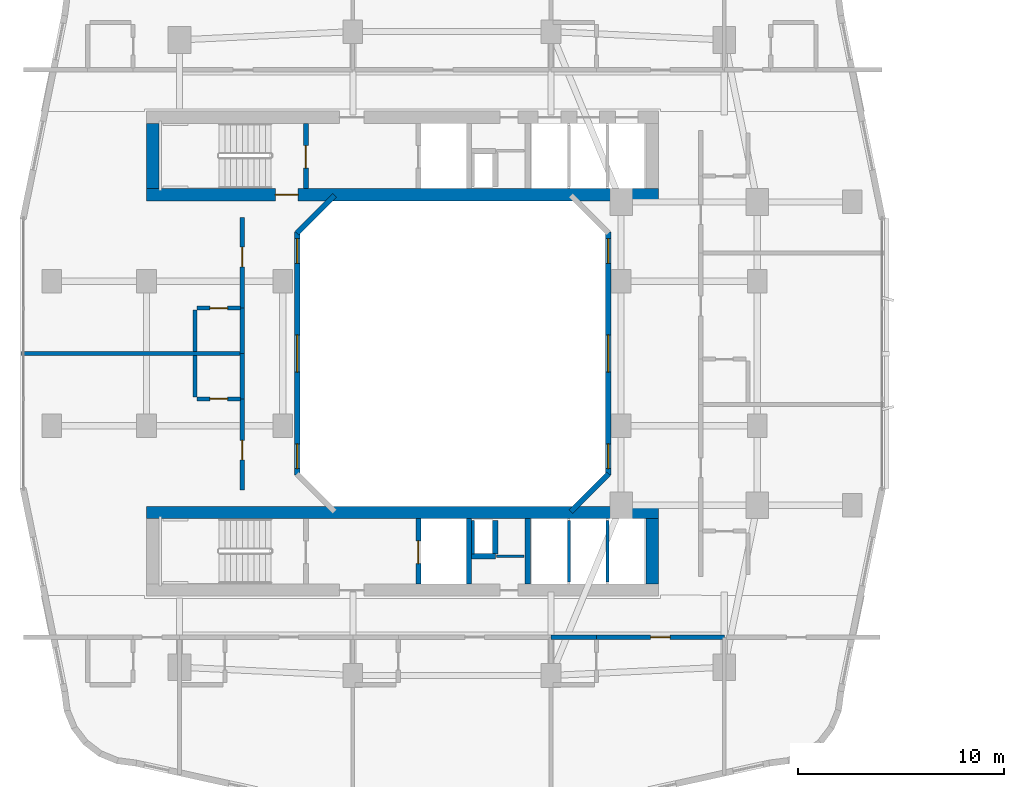
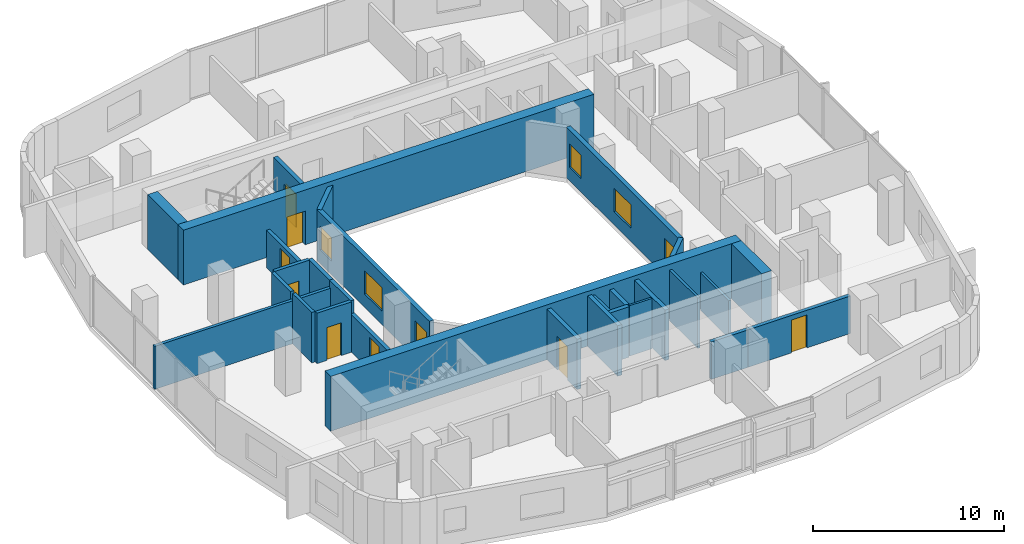
# One storey, part 14 of 27: 29 walls, 8 doors, 6 windows, 14 openings.
"""IFC4 building model written with IfcOpenShell, lengths in metres."""

import ifcopenshell
import ifcopenshell.guid

model = None  # the IFC model being written
_history = None  # IfcOwnerHistory: only IFC2X3 demands one
_inside = {}  # id of a spatial element -> (the spatial element, [elements in it])
_under = {}  # id of a project, library or spatial element -> (it, [spatial elements below it])
_declared = {}  # id of a project -> (the project, [libraries it declares])
_typed = {}  # id of a type object -> (the type object, [elements of that type])
_made_of = {}  # id of a material, layer set ... -> (it, [elements and type objects made of it])


def new_model(schema):
    """Start an empty IFC model of exactly this schema.

    Asked for "IFC4X3", IfcOpenShell would pick the latest addendum, in which some entities
    have other attributes; the version numbers below select the first issue.
    IFC2X3 requires an IfcOwnerHistory on every rooted entity: one is made here for all.
    """
    global model, _history
    if schema == "IFC4X3":
        model = ifcopenshell.file(schema_version=(4, 3, 0, 0))
    else:
        model = ifcopenshell.file(schema=schema)
    _inside.clear()
    _under.clear()
    _declared.clear()
    _typed.clear()
    _made_of.clear()
    _history = None
    if model.schema == "IFC2X3":
        org = make("IfcOrganization", Name="unknown")
        user = make(
            "IfcPersonAndOrganization",
            ThePerson=make("IfcPerson", FamilyName="unknown"),
            TheOrganization=org,
        )
        app = make(
            "IfcApplication",
            ApplicationDeveloper=org,
            Version="unknown",
            ApplicationFullName="unknown",
            ApplicationIdentifier="unknown",
        )
        _history = make(
            "IfcOwnerHistory",
            OwningUser=user,
            OwningApplication=app,
            ChangeAction="ADDED",
            CreationDate=0,
        )
    return model


def make(cls, **values):
    """One entity of the class cls with the attributes given. An attribute that is None is left unset."""
    return model.create_entity(
        cls, **{name: value for name, value in values.items() if value is not None}
    )


def rooted(cls, **values):
    """An entity with a GlobalId (a new one), such as an element, a storey or a relation."""
    return make(cls, GlobalId=ifcopenshell.guid.new(), OwnerHistory=_history, **values)


def si_unit(unit_type, name, prefix=None):
    """IfcSIUnit, for example si_unit("LENGTHUNIT", "METRE", prefix="MILLI")."""
    return make("IfcSIUnit", UnitType=unit_type, Prefix=prefix, Name=name)


def derived_unit(unit_type, elements):
    """IfcDerivedUnit: a product of units, each with its exponent."""
    return make(
        "IfcDerivedUnit",
        Elements=[
            make("IfcDerivedUnitElement", Unit=unit, Exponent=power)
            for unit, power in elements
        ],
        UnitType=unit_type,
    )


def assignment(units):
    """IfcUnitAssignment: the units of a project."""
    return None if units is None else make("IfcUnitAssignment", Units=units)


def point(xyz):
    """IfcCartesianPoint."""
    return None if xyz is None else make("IfcCartesianPoint", Coordinates=xyz)


def direction(xyz):
    """IfcDirection."""
    return None if xyz is None else make("IfcDirection", DirectionRatios=xyz)


def frame(location, z_axis=None, x_axis=None):
    """IfcAxis2Placement3D, a coordinate frame: its origin and axes. An axis left out is left unset."""
    return make(
        "IfcAxis2Placement3D",
        Location=point(location),
        Axis=direction(z_axis),
        RefDirection=direction(x_axis),
    )


def frame_2d(location, x_axis=None):
    """IfcAxis2Placement2D, a coordinate frame in the plane: its origin and x axis."""
    return make(
        "IfcAxis2Placement2D", Location=point(location), RefDirection=direction(x_axis)
    )


def origin():
    """The frame at (0, 0, 0) with its axes left unset."""
    return frame((0.0, 0.0, 0.0))


def place(relative_to, where):
    """IfcLocalPlacement: puts the frame where relative to a parent placement (None: the world)."""
    return make(
        "IfcLocalPlacement", PlacementRelTo=relative_to, RelativePlacement=where
    )


def context(
    kind, dimensions, precision=None, world=None, true_north=None, identifier=None
):
    """IfcGeometricRepresentationContext, for example the 3D "Model" context."""
    return make(
        "IfcGeometricRepresentationContext",
        ContextIdentifier=identifier,
        ContextType=kind,
        CoordinateSpaceDimension=dimensions,
        Precision=precision,
        WorldCoordinateSystem=world,
        TrueNorth=true_north,
    )


def subcontext(parent, identifier, kind, view, scale=None):
    """IfcGeometricRepresentationSubContext, for example "Body" below "Model"."""
    return make(
        "IfcGeometricRepresentationSubContext",
        ContextIdentifier=identifier,
        ContextType=kind,
        ParentContext=parent,
        TargetScale=scale,
        TargetView=view,
    )


def project(units=None, contexts=None):
    """IfcProject with its units and contexts."""
    return rooted(
        "IfcProject",
        Name="project",
        RepresentationContexts=contexts,
        UnitsInContext=assignment(units),
    )


def spatial(cls, under=None, at=None, **own):
    """A site, building, storey or space (cls), placed at a placement, below another one or the project."""
    s = rooted(cls, ObjectPlacement=at, **own)
    if under is not None:
        _under.setdefault(under.id(), (under, []))[1].append(s)
    return s


def profile(cls, at=None, kind="AREA", **sizes):
    """A parametric profile (cls). Its sizes go by their IFC names, for example OverallWidth=200.0."""
    return make(cls, ProfileType=kind, Position=at, **sizes)


def rectangle(**sizes):
    """IfcRectangleProfileDef."""
    return profile("IfcRectangleProfileDef", **sizes)


def extrude(swept, where, along, depth):
    """IfcExtrudedAreaSolid: the profile swept, set in the frame where, extruded along a direction by depth."""
    return make(
        "IfcExtrudedAreaSolid",
        SweptArea=swept,
        Position=where,
        ExtrudedDirection=direction(along),
        Depth=depth,
    )


def shape(context_of_items, identifier, shape_type, items):
    """IfcShapeRepresentation: the items that make up one representation, for example the "Body"."""
    return make(
        "IfcShapeRepresentation",
        ContextOfItems=context_of_items,
        RepresentationIdentifier=identifier,
        RepresentationType=shape_type,
        Items=items,
    )


def material(Name=None, Category=None):
    """IfcMaterial."""
    return make("IfcMaterial", Name=Name, Category=Category)


def layer(
    of_material, thickness, ventilated=None, Name=None, Category=None, Priority=None
):
    """IfcMaterialLayer: one layer of a wall or slab, of a material (None: an air gap)."""
    return make(
        "IfcMaterialLayer",
        Material=of_material,
        LayerThickness=thickness,
        IsVentilated=ventilated,
        Name=Name,
        Category=Category,
        Priority=Priority,
    )


def layer_set(layers, Name=None):
    """IfcMaterialLayerSet."""
    return make("IfcMaterialLayerSet", MaterialLayers=layers, LayerSetName=Name)


def made_of(thing, what):
    """Note that an element or type object is made of a material, layer set ...; save() writes the relation."""
    if what is not None:
        _made_of.setdefault(what.id(), (what, []))[1].append(thing)
    return thing


def type_object(cls, material=None, **own):
    """A type object (cls), such as IfcWallType, which elements share."""
    return made_of(rooted(cls, **own), material)


def element(
    cls,
    number,
    at=None,
    inside=None,
    cuts=None,
    type_object=None,
    material=None,
    context=None,
    identifier="Body",
    shape_type=None,
    held_by="IfcProductDefinitionShape",
    body=None,
    shapes=None,
    **own,
):
    """One element of the class cls, such as IfcWall. Its Tag is "e" and its number.

    at: its placement. inside: the storey or other place that contains it. cuts: it is an
    opening in that element (IfcRelVoidsElement). A single representation is given by context,
    identifier, shape_type and body (its items); several are given by shapes. held_by: the class
    of the entity that holds the representations. save() writes the other relations.
    """
    e = rooted(cls, Tag="e%d" % number, ObjectPlacement=at, **own)
    if body is not None:
        shapes = [shape(context, identifier, shape_type, body)]
    if shapes is not None:
        e.Representation = make(held_by, Representations=shapes)
    if inside is not None:
        _inside.setdefault(inside.id(), (inside, []))[1].append(e)
    if cuts is not None:
        rooted(
            "IfcRelVoidsElement", RelatingBuildingElement=cuts, RelatedOpeningElement=e
        )
    if type_object is not None:
        _typed.setdefault(type_object.id(), (type_object, []))[1].append(e)
    return made_of(e, material)


def fill(opening, filler):
    """IfcRelFillsElement: the door or window that sits in an opening."""
    return rooted(
        "IfcRelFillsElement",
        RelatingOpeningElement=opening,
        RelatedBuildingElement=filler,
    )


def aggregate(whole, parts):
    """IfcRelAggregates: a whole, such as a stair, and the parts it consists of."""
    return rooted("IfcRelAggregates", RelatingObject=whole, RelatedObjects=parts)


def save(model, path):
    """Write the relations noted so far, then the file.

    IfcRelAggregates (storeys below a building ...), IfcRelContainedInSpatialStructure (elements
    in a storey), IfcRelDefinesByType, IfcRelAssociatesMaterial and IfcRelDeclares: one each for
    every whole, place, type object, material and project.
    """
    for whole, parts in _under.values():
        aggregate(whole, parts)
    for where, things in _inside.values():
        rooted(
            "IfcRelContainedInSpatialStructure",
            RelatedElements=things,
            RelatingStructure=where,
        )
    for kind, things in _typed.values():
        rooted("IfcRelDefinesByType", RelatedObjects=things, RelatingType=kind)
    for what, things in _made_of.values():
        rooted("IfcRelAssociatesMaterial", RelatedObjects=things, RelatingMaterial=what)
    for by, libraries in _declared.values():
        rooted("IfcRelDeclares", RelatingContext=by, RelatedDefinitions=libraries)
    model.write(path)


model = new_model("IFC4")

# Units and contexts
model_context = context("Model", 3, precision=1e-05, world=origin(), true_north=direction((0.0, 1.0)))
body_context = subcontext(model_context, "Body", "Model", "MODEL_VIEW")
ifc_project = project(units=[si_unit("LENGTHUNIT", "METRE"), si_unit("AREAUNIT", "SQUARE_METRE"), si_unit("VOLUMEUNIT", "CUBIC_METRE"), si_unit("PLANEANGLEUNIT", "RADIAN"), si_unit("MASSUNIT", "GRAM", prefix="KILO"), derived_unit("THERMALTRANSMITTANCEUNIT", [(si_unit("POWERUNIT", "WATT"), 1), (si_unit("LENGTHUNIT", "METRE"), -2), (si_unit("THERMODYNAMICTEMPERATUREUNIT", "KELVIN"), -1)])], contexts=[model_context])

# Site, building, storey
site_placement = place(None, origin())
site = spatial("IfcSite", under=ifc_project, at=site_placement, CompositionType="ELEMENT")
building_placement = place(site_placement, origin())
building = spatial("IfcBuilding", under=site, at=building_placement, Name="Kivonza Crest Hotel", CompositionType="ELEMENT")
storey_placement = place(building_placement, frame((0.0, 0.0, 31.0)))
storey = spatial("IfcBuildingStorey", under=building, at=storey_placement, Name="L07", CompositionType="ELEMENT", Elevation=31.0)

# Walls
ifc_material_1 = material(Name="High-density acoustic masonry inter-tenancy wall", Category="masonry")
ifc_layer_1 = layer(ifc_material_1, 0.179931640625)
ifc_layer_set_1 = layer_set([ifc_layer_1], Name="High-density acoustic masonry inter-tenancy wall")
wall_type_1 = type_object("IfcWallType", Name="WL-ACOU-180", PredefinedType="SOLIDWALL", material=ifc_layer_set_1)
wall_1_placement = place(storey_placement, frame((0.139892578125, 25.0, 0.0), z_axis=(0.0, 0.0, 1.0), x_axis=(1.0, 0.0, 0.0)))
element("IfcWall", 1, at=wall_1_placement, inside=storey, type_object=wall_type_1, Name="L07 interior partition WA-L07-T1W-DIV1", PredefinedType="SOLIDWALL", context=body_context, shape_type="SweptSolid", body=[
    extrude(rectangle(XDim=10.710205078125, YDim=0.179931640625, at=frame_2d((5.35498046875, 0.0))), origin(), (0.0, 0.0, 1.0), 2.7451171875),
])
ifc_material_2 = material(Name="Autoclaved aerated concrete blockwork", Category="masonry")
ifc_layer_2 = layer(ifc_material_2, 0.219970703125)
ifc_layer_set_2 = layer_set([ifc_layer_2], Name="Autoclaved aerated concrete blockwork")
wall_type_2 = type_object("IfcWallType", Name="WL-ACOU-220", PredefinedType="SOLIDWALL", material=ifc_layer_set_2)
wall_2_placement = place(storey_placement, frame((25.800048828125, 11.25, 0.0), z_axis=(0.0, 0.0, 1.0), x_axis=(1.0, 0.0, 0.0)))
element("IfcWall", 2, at=wall_2_placement, inside=storey, type_object=wall_type_2, Name="L07 interior partition WA-L07-S07-BCORR", PredefinedType="SOLIDWALL", context=body_context, shape_type="SweptSolid", body=[
    extrude(rectangle(XDim=2.199951171875, YDim=0.219970703125, at=frame_2d((1.10009765625, 0.0))), origin(), (0.0, 0.0, 1.0), 2.39501953125),
])

# Wall, opening, door
wall_3_placement = place(storey_placement, frame((28.0, 11.25, 0.0), z_axis=(0.0, 0.0, 1.0), x_axis=(1.0, 0.0, 0.0)))
wall_3 = element("IfcWall", 3, at=wall_3_placement, inside=storey, type_object=wall_type_2, Name="L07 interior partition WA-L07-S07-MCORR", PredefinedType="SOLIDWALL", context=body_context, shape_type="SweptSolid", body=[
    extrude(rectangle(XDim=6.199951171875, YDim=0.219970703125, at=frame_2d((3.10009765625, 0.0))), origin(), (0.0, 0.0, 1.0), 2.39501953125),
])
opening_1_placement = place(wall_3_placement, frame((2.625, 0.0, 0.0)))
opening_1 = element("IfcOpeningElement", 4, at=opening_1_placement, cuts=wall_3, Name="Opening DU-60", PredefinedType="OPENING", context=body_context, shape_type="SweptSolid", body=[
    extrude(rectangle(XDim=0.949951171875, YDim=2.10009765625, at=frame_2d((0.47509765625, 1.050048828125))), frame((0.0, 0.1201171875, 0.0), z_axis=(0.0, -1.0, 0.0), x_axis=(1.0, 0.0, 0.0)), (0.0, 0.0, 1.0), 0.239990234375),
])
ifc_material_3 = material(Name="Hardwood timber oak", Category="wood")
door_type_1 = type_object("IfcDoorType", Name="DR-UNIT-950", OperationType="NOTDEFINED", PredefinedType="DOOR", material=ifc_material_3)
door_1_placement = place(opening_1_placement, frame((0.949951171875, 0.0, 0.0), z_axis=(0.0, 0.0, 1.0), x_axis=(-1.0, 0.0, 0.0)))
door_1 = element("IfcDoor", 5, at=door_1_placement, inside=storey, type_object=door_type_1, Name="L07 S07 guest unit entrance fire door", OperationType="SINGLE_SWING_LEFT", OverallHeight=2.10009765625, OverallWidth=0.949951171875, PredefinedType="DOOR", context=body_context, shape_type="SweptSolid", body=[
    extrude(rectangle(XDim=0.949951171875, YDim=2.10009765625, at=frame_2d((0.47509765625, 1.050048828125))), frame((0.0, 0.02490234375, 0.0), z_axis=(0.0, -1.0, 0.0), x_axis=(1.0, 0.0, 0.0)), (0.0, 0.0, 1.0), 0.050048828125),
])
fill(opening_1, door_1)

# Wall
wall_4_placement = place(storey_placement, frame((10.85009765625, 22.800048828125, 0.0), z_axis=(0.0, 0.0, 1.0), x_axis=(0.0, 1.0, 0.0)))
element("IfcWall", 6, at=wall_4_placement, inside=storey, type_object=wall_type_2, Name="L07 interior partition WA-L07-W08-BCORR", PredefinedType="SOLIDWALL", context=body_context, shape_type="SweptSolid", body=[
    extrude(rectangle(XDim=2.199951171875, YDim=0.219970703125, at=frame_2d((1.10009765625, 0.0))), origin(), (0.0, 0.0, 1.0), 3.219970703125),
])

# Wall, opening, door
wall_5_placement = place(storey_placement, frame((10.85009765625, 18.39990234375, 0.0), z_axis=(0.0, 0.0, 1.0), x_axis=(0.0, 1.0, 0.0)))
wall_5 = element("IfcWall", 7, at=wall_5_placement, inside=storey, type_object=wall_type_2, Name="L07 interior partition WA-L07-W08-MCORR", PredefinedType="SOLIDWALL", context=body_context, shape_type="SweptSolid", body=[
    extrude(rectangle(XDim=4.400146484375, YDim=0.219970703125, at=frame_2d((2.2001953125, 0.0))), origin(), (0.0, 0.0, 1.0), 2.39501953125),
])
opening_2_placement = place(wall_5_placement, frame((1.445068359375, 0.0, 0.0)))
opening_2 = element("IfcOpeningElement", 8, at=opening_2_placement, cuts=wall_5, Name="Opening DU-60", PredefinedType="OPENING", context=body_context, shape_type="SweptSolid", body=[
    extrude(rectangle(XDim=0.949951171875, YDim=2.10009765625, at=frame_2d((0.47509765625, 1.050048828125))), frame((0.0, 0.1201171875, 0.0), z_axis=(0.0, -1.0, 0.0), x_axis=(1.0, 0.0, 0.0)), (0.0, 0.0, 1.0), 0.239990234375),
])
door_2_placement = place(opening_2_placement, origin())
door_2 = element("IfcDoor", 9, at=door_2_placement, inside=storey, type_object=door_type_1, Name="L07 W08 guest unit entrance fire door", OperationType="SINGLE_SWING_RIGHT", OverallHeight=2.10009765625, OverallWidth=0.949951171875, PredefinedType="DOOR", context=body_context, shape_type="SweptSolid", body=[
    extrude(rectangle(XDim=0.949951171875, YDim=2.10009765625, at=frame_2d((0.47509765625, 1.050048828125))), frame((0.0, 0.02490234375, 0.0), z_axis=(0.0, -1.0, 0.0), x_axis=(1.0, 0.0, 0.0)), (0.0, 0.0, 1.0), 0.050048828125),
])
fill(opening_2, door_2)

# Wall
wall_6_placement = place(storey_placement, frame((10.85009765625, 25.0, 0.0), z_axis=(0.0, 0.0, 1.0), x_axis=(0.0, 1.0, 0.0)))
element("IfcWall", 10, at=wall_6_placement, inside=storey, type_object=wall_type_2, Name="L07 interior partition WA-L07-W09-BCORR", PredefinedType="SOLIDWALL", context=body_context, shape_type="SweptSolid", body=[
    extrude(rectangle(XDim=2.199951171875, YDim=0.219970703125, at=frame_2d((1.10009765625, 0.0))), origin(), (0.0, 0.0, 1.0), 3.219970703125),
])

# Wall, opening, door
wall_7_placement = place(storey_placement, frame((10.85009765625, 27.199951171875, 0.0), z_axis=(0.0, 0.0, 1.0), x_axis=(0.0, 1.0, 0.0)))
wall_7 = element("IfcWall", 11, at=wall_7_placement, inside=storey, type_object=wall_type_2, Name="L07 interior partition WA-L07-W09-MCORR", PredefinedType="SOLIDWALL", context=body_context, shape_type="SweptSolid", body=[
    extrude(rectangle(XDim=4.400146484375, YDim=0.219970703125, at=frame_2d((2.2001953125, 0.0))), origin(), (0.0, 0.0, 1.0), 2.39501953125),
])
opening_3_placement = place(wall_7_placement, frame((2.0048828125, 0.0, 0.0)))
opening_3 = element("IfcOpeningElement", 12, at=opening_3_placement, cuts=wall_7, Name="Opening DU-60", PredefinedType="OPENING", context=body_context, shape_type="SweptSolid", body=[
    extrude(rectangle(XDim=0.949951171875, YDim=2.10009765625, at=frame_2d((0.47509765625, 1.050048828125))), frame((0.0, 0.1201171875, 0.0), z_axis=(0.0, -1.0, 0.0), x_axis=(1.0, 0.0, 0.0)), (0.0, 0.0, 1.0), 0.239990234375),
])
door_3_placement = place(opening_3_placement, origin())
door_3 = element("IfcDoor", 13, at=door_3_placement, inside=storey, type_object=door_type_1, Name="L07 W09 guest unit entrance fire door", OperationType="SINGLE_SWING_LEFT", OverallHeight=2.10009765625, OverallWidth=0.949951171875, PredefinedType="DOOR", context=body_context, shape_type="SweptSolid", body=[
    extrude(rectangle(XDim=0.949951171875, YDim=2.10009765625, at=frame_2d((0.47509765625, 1.050048828125))), frame((0.0, 0.02490234375, 0.0), z_axis=(0.0, -1.0, 0.0), x_axis=(1.0, 0.0, 0.0)), (0.0, 0.0, 1.0), 0.050048828125),
])
fill(opening_3, door_3)

ifc_material_4 = material(Name="Concrete C60/75", Category="concrete")
ifc_layer_3 = layer(ifc_material_4, 0.60009765625)
ifc_layer_set_3 = layer_set([ifc_layer_3], Name="Concrete C60/75")
wall_type_3 = type_object("IfcWallType", Name="WL-CORE-600", PredefinedType="SHEAR", material=ifc_layer_set_3)
wall_8_placement = place(storey_placement, frame((6.199951171875, 32.699951171875, 0.0), z_axis=(0.0, 0.0, 1.0), x_axis=(1.0, 0.0, 0.0)))
wall_8 = element("IfcWall", 14, at=wall_8_placement, inside=storey, type_object=wall_type_3, Name="Core wall T1-N South L07", PredefinedType="SHEAR", context=body_context, shape_type="SweptSolid", body=[
    extrude(rectangle(XDim=24.800048828125, YDim=0.60009765625, at=frame_2d((12.39990234375, 0.0))), origin(), (0.0, 0.0, 1.0), 3.5),
])
opening_4_placement = place(wall_8_placement, frame((6.25, 0.0, 0.0)))
opening_4 = element("IfcOpeningElement", 15, at=opening_4_placement, cuts=wall_8, Name="Opening DF-120", PredefinedType="OPENING", context=body_context, shape_type="SweptSolid", body=[
    extrude(rectangle(XDim=1.10009765625, YDim=2.14990234375, at=frame_2d((0.550048828125, 1.074951171875))), frame((0.0, 0.31005859375, 0.0), z_axis=(0.0, -1.0, 0.0), x_axis=(1.0, 0.0, 0.0)), (0.0, 0.0, 1.0), 0.6201171875),
])
ifc_material_5 = material(Name="Galvanised steel", Category="steel")
door_type_2 = type_object("IfcDoorType", Name="DR-FD120-1100", OperationType="NOTDEFINED", PredefinedType="DOOR", material=ifc_material_5)
door_4_placement = place(opening_4_placement, origin())
door_4 = element("IfcDoor", 16, at=door_4_placement, inside=storey, type_object=door_type_2, Name="L07 West corridor stair access fire door", OperationType="SINGLE_SWING_LEFT", OverallHeight=2.14990234375, OverallWidth=1.10009765625, PredefinedType="DOOR", context=body_context, shape_type="SweptSolid", body=[
    extrude(rectangle(XDim=1.10009765625, YDim=2.14990234375, at=frame_2d((0.550048828125, 1.074951171875))), frame((0.0, 0.02490234375, 0.0), z_axis=(0.0, -1.0, 0.0), x_axis=(1.0, 0.0, 0.0)), (0.0, 0.0, 1.0), 0.050048828125),
])
fill(opening_4, door_4)

# Walls
wall_9_placement = place(storey_placement, frame((6.5, 33.0, 0.0), z_axis=(0.0, 0.0, 1.0), x_axis=(0.0, 1.0, 0.0)))
element("IfcWall", 17, at=wall_9_placement, inside=storey, type_object=wall_type_3, Name="Core wall T1-N West L07", PredefinedType="SHEAR", context=body_context, shape_type="SweptSolid", body=[
    extrude(rectangle(XDim=3.159912109375, YDim=0.60009765625, at=frame_2d((1.580078125, 0.0))), origin(), (0.0, 0.0, 1.0), 3.5),
])
wall_10_placement = place(storey_placement, frame((6.199951171875, 17.300048828125, 0.0), z_axis=(0.0, 0.0, 1.0), x_axis=(1.0, 0.0, 0.0)))
element("IfcWall", 18, at=wall_10_placement, inside=storey, type_object=wall_type_3, Name="Core wall T1-S North L07", PredefinedType="SHEAR", context=body_context, shape_type="SweptSolid", body=[
    extrude(rectangle(XDim=24.800048828125, YDim=0.60009765625, at=frame_2d((12.39990234375, 0.0))), origin(), (0.0, 0.0, 1.0), 3.5),
])
wall_11_placement = place(storey_placement, frame((30.699951171875, 13.840087890625, 0.0), z_axis=(0.0, 0.0, 1.0), x_axis=(0.0, 1.0, 0.0)))
element("IfcWall", 19, at=wall_11_placement, inside=storey, type_object=wall_type_3, Name="Core wall T1-S East L07", PredefinedType="SHEAR", context=body_context, shape_type="SweptSolid", body=[
    extrude(rectangle(XDim=3.159912109375, YDim=0.60009765625, at=frame_2d((1.580078125, 0.0))), origin(), (0.0, 0.0, 1.0), 3.5),
])
ifc_material_6 = material(Name="Precast concrete C40/50", Category="concrete")
ifc_layer_4 = layer(ifc_material_6, 0.260009765625)
ifc_layer_set_4 = layer_set([ifc_layer_4], Name="Precast concrete C40/50")
wall_type_4 = type_object("IfcWallType", Name="WL-EXT-260", PredefinedType="STANDARD", material=ifc_layer_set_4)
wall_12_placement = place(storey_placement, frame((26.761962890625, 17.337890625, 0.0), z_axis=(0.0, 0.0, 1.0), x_axis=(0.707059717605, 0.707153841636, 0.0)))
element("IfcWall", 20, at=wall_12_placement, inside=storey, type_object=wall_type_4, Name="L07 T1 light-well exterior wall 2", PredefinedType="STANDARD", context=body_context, shape_type="SweptSolid", body=[
    extrude(rectangle(XDim=2.59375, YDim=0.260009765625, at=frame_2d((1.296875, 0.0))), origin(), (0.0, 0.0, 1.0), 3.219970703125),
])

# Wall, openings, windows
wall_13_placement = place(storey_placement, frame((28.570068359375, 19.110107421875, 0.0), z_axis=(0.0, 0.0, 1.0), x_axis=(0.0, 1.0, 0.0)))
wall_13 = element("IfcWall", 21, at=wall_13_placement, inside=storey, type_object=wall_type_4, Name="L07 T1 light-well exterior wall 3", PredefinedType="STANDARD", context=body_context, shape_type="SweptSolid", body=[
    extrude(rectangle(XDim=11.77978515625, YDim=0.260009765625, at=frame_2d((5.889892578125, 0.0))), origin(), (0.0, 0.0, 1.0), 3.219970703125),
])
opening_5_placement = place(wall_13_placement, frame((0.318115234375, 0.0, 0.85009765625)))
opening_5 = element("IfcOpeningElement", 22, at=opening_5_placement, cuts=wall_13, Name="Opening WN-01", PredefinedType="OPENING", context=body_context, shape_type="SweptSolid", body=[
    extrude(rectangle(XDim=1.199951171875, YDim=1.5, at=frame_2d((0.60009765625, 0.75))), frame((0.0, 0.14013671875, 0.0), z_axis=(0.0, -1.0, 0.0), x_axis=(1.0, 0.0, 0.0)), (0.0, 0.0, 1.0), 0.280029296875),
])
opening_6_placement = place(wall_13_placement, frame((4.989990234375, 0.0, 0.85009765625)))
opening_6 = element("IfcOpeningElement", 23, at=opening_6_placement, cuts=wall_13, Name="Opening WN-03", PredefinedType="OPENING", context=body_context, shape_type="SweptSolid", body=[
    extrude(rectangle(XDim=1.800048828125, YDim=1.5, at=frame_2d((0.89990234375, 0.75))), frame((0.0, 0.14013671875, 0.0), z_axis=(0.0, -1.0, 0.0), x_axis=(1.0, 0.0, 0.0)), (0.0, 0.0, 1.0), 0.280029296875),
])
opening_7_placement = place(wall_13_placement, frame((10.262939453125, 0.0, 0.85009765625)))
opening_7 = element("IfcOpeningElement", 24, at=opening_7_placement, cuts=wall_13, Name="Opening WN-01", PredefinedType="OPENING", context=body_context, shape_type="SweptSolid", body=[
    extrude(rectangle(XDim=1.199951171875, YDim=1.5, at=frame_2d((0.60009765625, 0.75))), frame((0.0, 0.14013671875, 0.0), z_axis=(0.0, -1.0, 0.0), x_axis=(1.0, 0.0, 0.0)), (0.0, 0.0, 1.0), 0.280029296875),
])
ifc_material_7 = material(Name="Thermally broken bronze aluminium and low-E double glazing", Category="aluminium")
window_type_1 = type_object("IfcWindowType", Name="WN-120x150", PartitioningType="SINGLE_PANEL", PredefinedType="WINDOW", material=ifc_material_7)
window_1_placement = place(opening_5_placement, origin())
window_1 = element("IfcWindow", 25, at=window_1_placement, inside=storey, type_object=window_type_1, Name="L07 T1 light-well window 3 bay 1", OverallHeight=1.5, OverallWidth=1.199951171875, PartitioningType="SINGLE_PANEL", PredefinedType="WINDOW", context=body_context, shape_type="SweptSolid", body=[
    extrude(rectangle(XDim=1.199951171875, YDim=1.5, at=frame_2d((0.60009765625, 0.75))), frame((0.0, 0.030029296875, 0.0), z_axis=(0.0, -1.0, 0.0), x_axis=(1.0, 0.0, 0.0)), (0.0, 0.0, 1.0), 0.06005859375),
])
fill(opening_5, window_1)
window_2_placement = place(opening_7_placement, origin())
window_2 = element("IfcWindow", 26, at=window_2_placement, inside=storey, type_object=window_type_1, Name="L07 T1 light-well window 3 bay 3", OverallHeight=1.5, OverallWidth=1.199951171875, PartitioningType="SINGLE_PANEL", PredefinedType="WINDOW", context=body_context, shape_type="SweptSolid", body=[
    extrude(rectangle(XDim=1.199951171875, YDim=1.5, at=frame_2d((0.60009765625, 0.75))), frame((0.0, 0.030029296875, 0.0), z_axis=(0.0, -1.0, 0.0), x_axis=(1.0, 0.0, 0.0)), (0.0, 0.0, 1.0), 0.06005859375),
])
fill(opening_7, window_2)
window_type_2 = type_object("IfcWindowType", Name="WN-180x150", PartitioningType="DOUBLE_PANEL_VERTICAL", PredefinedType="WINDOW", material=ifc_material_7)
window_3_placement = place(opening_6_placement, origin())
window_3 = element("IfcWindow", 27, at=window_3_placement, inside=storey, type_object=window_type_2, Name="L07 T1 light-well window 3 bay 2", OverallHeight=1.5, OverallWidth=1.800048828125, PartitioningType="SINGLE_PANEL", PredefinedType="WINDOW", context=body_context, shape_type="SweptSolid", body=[
    extrude(rectangle(XDim=1.800048828125, YDim=1.5, at=frame_2d((0.89990234375, 0.75))), frame((0.0, 0.030029296875, 0.0), z_axis=(0.0, -1.0, 0.0), x_axis=(1.0, 0.0, 0.0)), (0.0, 0.0, 1.0), 0.06005859375),
])
fill(opening_6, window_3)

# Wall
wall_14_placement = place(storey_placement, frame((15.318115234375, 32.662109375, 0.0), z_axis=(0.0, 0.0, 1.0), x_axis=(-0.707106781187, -0.707106781187, 0.0)))
element("IfcWall", 28, at=wall_14_placement, inside=storey, type_object=wall_type_4, Name="L07 T1 light-well exterior wall 6", PredefinedType="STANDARD", context=body_context, shape_type="SweptSolid", body=[
    extrude(rectangle(XDim=2.593994140625, YDim=0.260009765625, at=frame_2d((1.296875, 0.0))), origin(), (0.0, 0.0, 1.0), 3.219970703125),
])

# Wall, openings, windows
wall_15_placement = place(storey_placement, frame((13.510009765625, 30.889892578125, 0.0), z_axis=(0.0, 0.0, 1.0), x_axis=(0.0, -1.0, 0.0)))
wall_15 = element("IfcWall", 29, at=wall_15_placement, inside=storey, type_object=wall_type_4, Name="L07 T1 light-well exterior wall 7", PredefinedType="STANDARD", context=body_context, shape_type="SweptSolid", body=[
    extrude(rectangle(XDim=11.77978515625, YDim=0.260009765625, at=frame_2d((5.889892578125, 0.0))), origin(), (0.0, 0.0, 1.0), 3.219970703125),
])
opening_8_placement = place(wall_15_placement, frame((0.318115234375, 0.0, 0.85009765625)))
opening_8 = element("IfcOpeningElement", 30, at=opening_8_placement, cuts=wall_15, Name="Opening WN-01", PredefinedType="OPENING", context=body_context, shape_type="SweptSolid", body=[
    extrude(rectangle(XDim=1.199951171875, YDim=1.5, at=frame_2d((0.60009765625, 0.75))), frame((0.0, 0.14013671875, 0.0), z_axis=(0.0, -1.0, 0.0), x_axis=(1.0, 0.0, 0.0)), (0.0, 0.0, 1.0), 0.280029296875),
])
opening_9_placement = place(wall_15_placement, frame((4.989990234375, 0.0, 0.85009765625)))
opening_9 = element("IfcOpeningElement", 31, at=opening_9_placement, cuts=wall_15, Name="Opening WN-03", PredefinedType="OPENING", context=body_context, shape_type="SweptSolid", body=[
    extrude(rectangle(XDim=1.800048828125, YDim=1.5, at=frame_2d((0.89990234375, 0.75))), frame((0.0, 0.14013671875, 0.0), z_axis=(0.0, -1.0, 0.0), x_axis=(1.0, 0.0, 0.0)), (0.0, 0.0, 1.0), 0.280029296875),
])
opening_10_placement = place(wall_15_placement, frame((10.262939453125, 0.0, 0.85009765625)))
opening_10 = element("IfcOpeningElement", 32, at=opening_10_placement, cuts=wall_15, Name="Opening WN-01", PredefinedType="OPENING", context=body_context, shape_type="SweptSolid", body=[
    extrude(rectangle(XDim=1.199951171875, YDim=1.5, at=frame_2d((0.60009765625, 0.75))), frame((0.0, 0.14013671875, 0.0), z_axis=(0.0, -1.0, 0.0), x_axis=(1.0, 0.0, 0.0)), (0.0, 0.0, 1.0), 0.280029296875),
])
window_4_placement = place(opening_8_placement, origin())
window_4 = element("IfcWindow", 33, at=window_4_placement, inside=storey, type_object=window_type_1, Name="L07 T1 light-well window 7 bay 1", OverallHeight=1.5, OverallWidth=1.199951171875, PartitioningType="SINGLE_PANEL", PredefinedType="WINDOW", context=body_context, shape_type="SweptSolid", body=[
    extrude(rectangle(XDim=1.199951171875, YDim=1.5, at=frame_2d((0.60009765625, 0.75))), frame((0.0, 0.030029296875, 0.0), z_axis=(0.0, -1.0, 0.0), x_axis=(1.0, 0.0, 0.0)), (0.0, 0.0, 1.0), 0.06005859375),
])
fill(opening_8, window_4)
window_5_placement = place(opening_10_placement, origin())
window_5 = element("IfcWindow", 34, at=window_5_placement, inside=storey, type_object=window_type_1, Name="L07 T1 light-well window 7 bay 3", OverallHeight=1.5, OverallWidth=1.199951171875, PartitioningType="SINGLE_PANEL", PredefinedType="WINDOW", context=body_context, shape_type="SweptSolid", body=[
    extrude(rectangle(XDim=1.199951171875, YDim=1.5, at=frame_2d((0.60009765625, 0.75))), frame((0.0, 0.030029296875, 0.0), z_axis=(0.0, -1.0, 0.0), x_axis=(1.0, 0.0, 0.0)), (0.0, 0.0, 1.0), 0.06005859375),
])
fill(opening_10, window_5)
window_6_placement = place(opening_9_placement, origin())
window_6 = element("IfcWindow", 35, at=window_6_placement, inside=storey, type_object=window_type_2, Name="L07 T1 light-well window 7 bay 2", OverallHeight=1.5, OverallWidth=1.800048828125, PartitioningType="SINGLE_PANEL", PredefinedType="WINDOW", context=body_context, shape_type="SweptSolid", body=[
    extrude(rectangle(XDim=1.800048828125, YDim=1.5, at=frame_2d((0.89990234375, 0.75))), frame((0.0, 0.030029296875, 0.0), z_axis=(0.0, -1.0, 0.0), x_axis=(1.0, 0.0, 0.0)), (0.0, 0.0, 1.0), 0.06005859375),
])
fill(opening_9, window_6)

# Walls
ifc_material_8 = material(Name="Concrete blockwork fire-compartment wall", Category="masonry")
ifc_layer_5 = layer(ifc_material_8, 0.25)
ifc_layer_set_5 = layer_set([ifc_layer_5], Name="Concrete blockwork fire-compartment wall")
wall_type_5 = type_object("IfcWallType", Name="WL-FIRE-250", PredefinedType="SOLIDWALL", material=ifc_layer_set_5)
wall_16_placement = place(storey_placement, frame((23.10009765625, 15.280029296875, 0.0), z_axis=(0.0, 0.0, 1.0), x_axis=(0.0, 1.0, 0.0)))
element("IfcWall", 36, at=wall_16_placement, inside=storey, type_object=wall_type_5, Name="L07 interior partition WA-L07-T1-S-MEPR-E", PredefinedType="SOLIDWALL", context=body_context, shape_type="SweptSolid", body=[
    extrude(rectangle(XDim=1.619873046875, YDim=0.25, at=frame_2d((0.81005859375, 0.0))), origin(), (0.0, 0.0, 1.0), 3.219970703125),
])
wall_17_placement = place(storey_placement, frame((21.949951171875, 15.179931640625, 0.0), z_axis=(0.0, 0.0, 1.0), x_axis=(1.0, 0.0, 0.0)))
element("IfcWall", 37, at=wall_17_placement, inside=storey, type_object=wall_type_5, Name="L07 interior partition WA-L07-T1-S-MEPR-H", PredefinedType="SOLIDWALL", context=body_context, shape_type="SweptSolid", body=[
    extrude(rectangle(XDim=1.150146484375, YDim=0.25, at=frame_2d((0.5751953125, 0.0))), origin(), (0.0, 0.0, 1.0), 3.219970703125),
])
ifc_material_9 = material(Name="Metal-stud gypsum board partition", Category="gypsum")
ifc_layer_6 = layer(ifc_material_9, 0.125)
ifc_layer_set_6 = layer_set([ifc_layer_6], Name="Metal-stud gypsum board partition")
wall_type_6 = type_object("IfcWallType", Name="WL-PART-125", PredefinedType="PARTITIONING", material=ifc_layer_set_6)
wall_18_placement = place(storey_placement, frame((23.14990234375, 15.179931640625, 0.0), z_axis=(0.0, 0.0, 1.0), x_axis=(1.0, 0.0, 0.0)))
element("IfcWall", 38, at=wall_18_placement, inside=storey, type_object=wall_type_6, Name="L07 interior partition WP-L07-T1-S-SV2H", PredefinedType="PARTITIONING", context=body_context, shape_type="SweptSolid", body=[
    extrude(rectangle(XDim=1.35009765625, YDim=0.125, at=frame_2d((0.675048828125, 0.0))), origin(), (0.0, 0.0, 1.0), 3.219970703125),
])
ifc_material_10 = material(Name="Twin-stud acoustic gypsum board partition", Category="gypsum")
ifc_layer_7 = layer(ifc_material_10, 0.14990234375)
ifc_layer_set_7 = layer_set([ifc_layer_7], Name="Twin-stud acoustic gypsum board partition")
wall_type_7 = type_object("IfcWallType", Name="WL-PART-150", PredefinedType="PARTITIONING", material=ifc_layer_set_7)
wall_19_placement = place(storey_placement, frame((22.030029296875, 15.280029296875, 0.0), z_axis=(0.0, 0.0, 1.0), x_axis=(0.0, 1.0, 0.0)))
element("IfcWall", 39, at=wall_19_placement, inside=storey, type_object=wall_type_7, Name="L07 interior partition WA-L07-T1-S-MEPR-W", PredefinedType="PARTITIONING", context=body_context, shape_type="SweptSolid", body=[
    extrude(rectangle(XDim=1.619873046875, YDim=0.14990234375, at=frame_2d((0.81005859375, 0.0))), origin(), (0.0, 0.0, 1.0), 3.219970703125),
])
wall_20_placement = place(storey_placement, frame((26.6669921875, 13.93994140625, 0.0), z_axis=(0.0, 0.0, 1.0), x_axis=(0.0, 1.0, 0.0)))
element("IfcWall", 40, at=wall_20_placement, inside=storey, type_object=wall_type_7, Name="L07 interior partition WP-L07-T1-S-BSH-1", PredefinedType="PARTITIONING", context=body_context, shape_type="SweptSolid", body=[
    extrude(rectangle(XDim=2.9599609375, YDim=0.14990234375, at=frame_2d((1.47998046875, 0.0))), origin(), (0.0, 0.0, 1.0), 3.219970703125),
])
wall_21_placement = place(storey_placement, frame((28.532958984375, 13.93994140625, 0.0), z_axis=(0.0, 0.0, 1.0), x_axis=(0.0, 1.0, 0.0)))
element("IfcWall", 41, at=wall_21_placement, inside=storey, type_object=wall_type_7, Name="L07 interior partition WP-L07-T1-S-BSH-2", PredefinedType="PARTITIONING", context=body_context, shape_type="SweptSolid", body=[
    extrude(rectangle(XDim=2.9599609375, YDim=0.14990234375, at=frame_2d((1.47998046875, 0.0))), origin(), (0.0, 0.0, 1.0), 2.39501953125),
])

# Wall, opening, door
ifc_material_11 = material(Name="Moisture-resistant plumbing chase partition wall", Category="gypsum")
ifc_layer_8 = layer(ifc_material_11, 0.199951171875)
ifc_layer_set_8 = layer_set([ifc_layer_8], Name="Moisture-resistant plumbing chase partition wall")
wall_type_8 = type_object("IfcWallType", Name="WL-PLUMB-200", PredefinedType="PLUMBINGWALL", material=ifc_layer_set_8)
wall_22_placement = place(storey_placement, frame((8.64990234375, 22.800048828125, 0.0), z_axis=(0.0, 0.0, 1.0), x_axis=(1.0, 0.0, 0.0)))
wall_22 = element("IfcWall", 42, at=wall_22_placement, inside=storey, type_object=wall_type_8, Name="L07 interior partition WW-L07-W08-BH", PredefinedType="PLUMBINGWALL", context=body_context, shape_type="SweptSolid", body=[
    extrude(rectangle(XDim=2.10009765625, YDim=0.199951171875, at=frame_2d((1.050048828125, 0.0))), origin(), (0.0, 0.0, 1.0), 3.219970703125),
])
opening_11_placement = place(wall_22_placement, frame((0.625, 0.0, 0.0)))
opening_11 = element("IfcOpeningElement", 43, at=opening_11_placement, cuts=wall_22, Name="Opening DI-85", PredefinedType="OPENING", context=body_context, shape_type="SweptSolid", body=[
    extrude(rectangle(XDim=0.85009765625, YDim=2.10009765625, at=frame_2d((0.425048828125, 1.050048828125))), frame((0.0, 0.10986328125, 0.0), z_axis=(0.0, -1.0, 0.0), x_axis=(1.0, 0.0, 0.0)), (0.0, 0.0, 1.0), 0.219970703125),
])
door_type_3 = type_object("IfcDoorType", Name="DR-INT-850", OperationType="NOTDEFINED", PredefinedType="DOOR", material=ifc_material_3)
door_5_placement = place(opening_11_placement, frame((0.85009765625, 0.0, 0.0), z_axis=(0.0, 0.0, 1.0), x_axis=(-1.0, 0.0, 0.0)))
door_5 = element("IfcDoor", 44, at=door_5_placement, inside=storey, type_object=door_type_3, Name="L07 W08 en-suite bathroom door", OperationType="SINGLE_SWING_LEFT", OverallHeight=2.10009765625, OverallWidth=0.85009765625, PredefinedType="DOOR", context=body_context, shape_type="SweptSolid", body=[
    extrude(rectangle(XDim=0.85009765625, YDim=2.10009765625, at=frame_2d((0.425048828125, 1.050048828125))), frame((0.0, 0.02490234375, 0.0), z_axis=(0.0, -1.0, 0.0), x_axis=(1.0, 0.0, 0.0)), (0.0, 0.0, 1.0), 0.050048828125),
])
fill(opening_11, door_5)

# Wall
wall_23_placement = place(storey_placement, frame((8.550048828125, 22.89990234375, 0.0), z_axis=(0.0, 0.0, 1.0), x_axis=(0.0, 1.0, 0.0)))
element("IfcWall", 45, at=wall_23_placement, inside=storey, type_object=wall_type_8, Name="L07 interior partition WW-L07-W08-BV", PredefinedType="PLUMBINGWALL", context=body_context, shape_type="SweptSolid", body=[
    extrude(rectangle(XDim=2.0, YDim=0.199951171875, at=frame_2d((1.0, 0.0))), origin(), (0.0, 0.0, 1.0), 3.219970703125),
])

# Wall, opening, door
wall_24_placement = place(storey_placement, frame((8.64990234375, 27.199951171875, 0.0), z_axis=(0.0, 0.0, 1.0), x_axis=(1.0, 0.0, 0.0)))
wall_24 = element("IfcWall", 46, at=wall_24_placement, inside=storey, type_object=wall_type_8, Name="L07 interior partition WW-L07-W09-BH", PredefinedType="PLUMBINGWALL", context=body_context, shape_type="SweptSolid", body=[
    extrude(rectangle(XDim=2.10009765625, YDim=0.199951171875, at=frame_2d((1.050048828125, 0.0))), origin(), (0.0, 0.0, 1.0), 3.219970703125),
])
opening_12_placement = place(wall_24_placement, frame((0.625, 0.0, 0.0)))
opening_12 = element("IfcOpeningElement", 47, at=opening_12_placement, cuts=wall_24, Name="Opening DI-85", PredefinedType="OPENING", context=body_context, shape_type="SweptSolid", body=[
    extrude(rectangle(XDim=0.85009765625, YDim=2.10009765625, at=frame_2d((0.425048828125, 1.050048828125))), frame((0.0, 0.10986328125, 0.0), z_axis=(0.0, -1.0, 0.0), x_axis=(1.0, 0.0, 0.0)), (0.0, 0.0, 1.0), 0.219970703125),
])
door_6_placement = place(opening_12_placement, origin())
door_6 = element("IfcDoor", 48, at=door_6_placement, inside=storey, type_object=door_type_3, Name="L07 W09 en-suite bathroom door", OperationType="SINGLE_SWING_RIGHT", OverallHeight=2.10009765625, OverallWidth=0.85009765625, PredefinedType="DOOR", context=body_context, shape_type="SweptSolid", body=[
    extrude(rectangle(XDim=0.85009765625, YDim=2.10009765625, at=frame_2d((0.425048828125, 1.050048828125))), frame((0.0, 0.02490234375, 0.0), z_axis=(0.0, -1.0, 0.0), x_axis=(1.0, 0.0, 0.0)), (0.0, 0.0, 1.0), 0.050048828125),
])
fill(opening_12, door_6)

# Wall
wall_25_placement = place(storey_placement, frame((8.550048828125, 25.10009765625, 0.0), z_axis=(0.0, 0.0, 1.0), x_axis=(0.0, 1.0, 0.0)))
element("IfcWall", 49, at=wall_25_placement, inside=storey, type_object=wall_type_8, Name="L07 interior partition WW-L07-W09-BV", PredefinedType="PLUMBINGWALL", context=body_context, shape_type="SweptSolid", body=[
    extrude(rectangle(XDim=2.0, YDim=0.199951171875, at=frame_2d((1.0, 0.0))), origin(), (0.0, 0.0, 1.0), 3.219970703125),
])

# Wall, opening, door
ifc_material_12 = material(Name="Concrete C50/60", Category="concrete")
ifc_layer_9 = layer(ifc_material_12, 0.25)
ifc_layer_set_9 = layer_set([ifc_layer_9], Name="Concrete C50/60")
wall_type_9 = type_object("IfcWallType", Name="WL-SHAFT-250", PredefinedType="STANDARD", material=ifc_layer_set_9)
wall_26_placement = place(storey_placement, frame((13.925048828125, 33.0, 0.0), z_axis=(0.0, 0.0, 1.0), x_axis=(0.0, 1.0, 0.0)))
wall_26 = element("IfcWall", 50, at=wall_26_placement, inside=storey, type_object=wall_type_9, Name="Core shaft wall T1-N STAIR L07", PredefinedType="STANDARD", context=body_context, shape_type="SweptSolid", body=[
    extrude(rectangle(XDim=3.159912109375, YDim=0.25, at=frame_2d((1.580078125, 0.0))), origin(), (0.0, 0.0, 1.0), 3.219970703125),
])
opening_13_placement = place(wall_26_placement, frame((0.97998046875, 0.0, 0.0)))
opening_13 = element("IfcOpeningElement", 51, at=opening_13_placement, cuts=wall_26, Name="Opening DF-120", PredefinedType="OPENING", context=body_context, shape_type="SweptSolid", body=[
    extrude(rectangle(XDim=1.10009765625, YDim=2.14990234375, at=frame_2d((0.550048828125, 1.074951171875))), frame((0.0, 0.135009765625, 0.0), z_axis=(0.0, -1.0, 0.0), x_axis=(1.0, 0.0, 0.0)), (0.0, 0.0, 1.0), 0.27001953125),
])
door_7_placement = place(opening_13_placement, frame((1.10009765625, 0.0, 0.0), z_axis=(0.0, 0.0, 1.0), x_axis=(-1.0, 0.0, 0.0)))
door_7 = element("IfcDoor", 52, at=door_7_placement, inside=storey, type_object=door_type_2, Name="L07 T1-N stair fire door", OperationType="SINGLE_SWING_LEFT", OverallHeight=2.14990234375, OverallWidth=1.10009765625, PredefinedType="DOOR", context=body_context, shape_type="SweptSolid", body=[
    extrude(rectangle(XDim=1.10009765625, YDim=2.14990234375, at=frame_2d((0.550048828125, 1.074951171875))), frame((0.0, 0.02490234375, 0.0), z_axis=(0.0, -1.0, 0.0), x_axis=(1.0, 0.0, 0.0)), (0.0, 0.0, 1.0), 0.050048828125),
])
fill(opening_13, door_7)

wall_27_placement = place(storey_placement, frame((19.375, 13.840087890625, 0.0), z_axis=(0.0, 0.0, 1.0), x_axis=(0.0, 1.0, 0.0)))
wall_27 = element("IfcWall", 53, at=wall_27_placement, inside=storey, type_object=wall_type_9, Name="Core shaft wall T1-S FFL-W L07", PredefinedType="STANDARD", context=body_context, shape_type="SweptSolid", body=[
    extrude(rectangle(XDim=3.159912109375, YDim=0.25, at=frame_2d((1.580078125, 0.0))), origin(), (0.0, 0.0, 1.0), 3.219970703125),
])
opening_14_placement = place(wall_27_placement, frame((0.97998046875, 0.0, 0.0)))
opening_14 = element("IfcOpeningElement", 54, at=opening_14_placement, cuts=wall_27, Name="Opening LD-120", PredefinedType="OPENING", context=body_context, shape_type="SweptSolid", body=[
    extrude(rectangle(XDim=1.10009765625, YDim=2.14990234375, at=frame_2d((0.550048828125, 1.074951171875))), frame((0.0, 0.135009765625, 0.0), z_axis=(0.0, -1.0, 0.0), x_axis=(1.0, 0.0, 0.0)), (0.0, 0.0, 1.0), 0.27001953125),
])
ifc_material_13 = material(Name="Stainless steel", Category="steel")
door_type_4 = type_object("IfcDoorType", Name="DR-LD120-1100", OperationType="NOTDEFINED", PredefinedType="DOOR", material=ifc_material_13)
door_8_placement = place(opening_14_placement, origin())
door_8 = element("IfcDoor", 55, at=door_8_placement, inside=storey, type_object=door_type_4, Name="L07 FFL-T1-S firefighting lift sliding landing door", OperationType="DOUBLE_DOOR_SLIDING", OverallHeight=2.14990234375, OverallWidth=1.10009765625, PredefinedType="DOOR", context=body_context, shape_type="SweptSolid", body=[
    extrude(rectangle(XDim=1.10009765625, YDim=2.14990234375, at=frame_2d((0.550048828125, 1.074951171875))), frame((0.0, 0.02490234375, 0.0), z_axis=(0.0, -1.0, 0.0), x_axis=(1.0, 0.0, 0.0)), (0.0, 0.0, 1.0), 0.050048828125),
])
fill(opening_14, door_8)

# Walls
for number, where, z_axis, x_axis, name in (
    (56, (21.824951171875, 13.840087890625, 0.0), (0.0, 0.0, 1.0), (0.0, 1.0, 0.0), "Core shaft wall T1-S FFL-E L07"),
    (57, (24.675048828125, 13.840087890625, 0.0), (0.0, 0.0, 1.0), (0.0, 1.0, 0.0), "Core shaft wall T1-S BANK-W L07"),
):
    element("IfcWall", number, at=place(storey_placement, frame(where, z_axis=z_axis, x_axis=x_axis)), inside=storey, type_object=wall_type_9, Name=name, PredefinedType="STANDARD", context=body_context, shape_type="SweptSolid", body=[
        extrude(rectangle(XDim=3.159912109375, YDim=0.25, at=frame_2d((1.580078125, 0.0))), origin(), (0.0, 0.0, 1.0), 3.219970703125),
    ])

save(model, "model.ifc")
